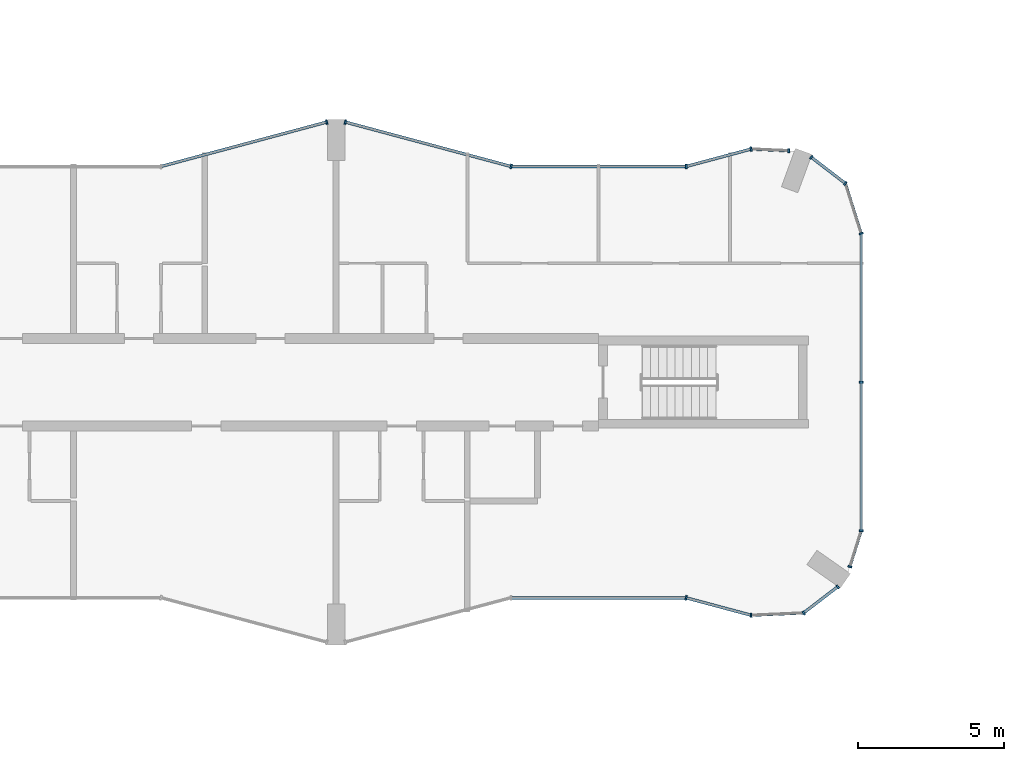
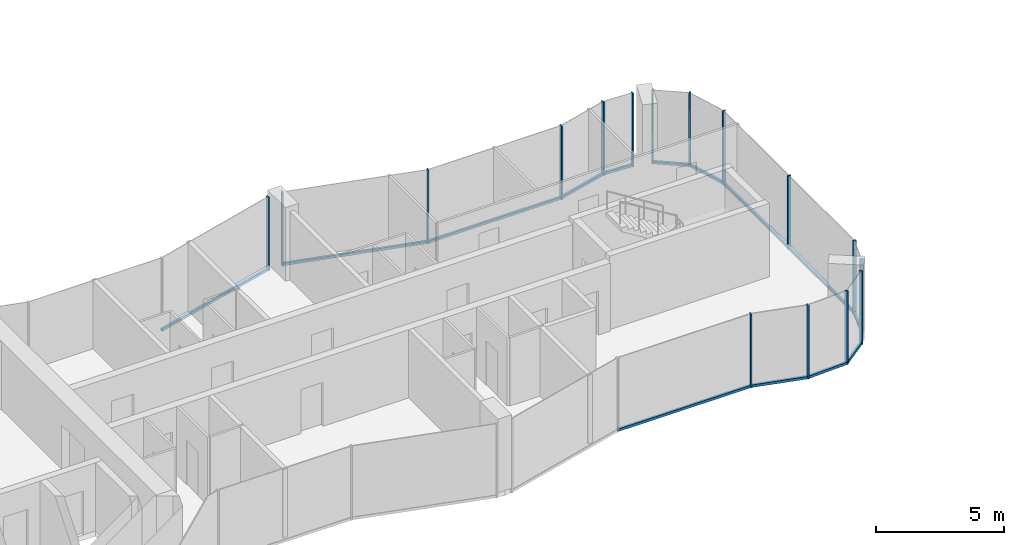
# One storey, part 5 of 22: 29 members, 13 elements without a shape of their own.
"""IFC4 building model written with IfcOpenShell, lengths in metres."""

import ifcopenshell
import ifcopenshell.guid

model = None  # the IFC model being written
_history = None  # IfcOwnerHistory: only IFC2X3 demands one
_inside = {}  # id of a spatial element -> (the spatial element, [elements in it])
_under = {}  # id of a project, library or spatial element -> (it, [spatial elements below it])
_declared = {}  # id of a project -> (the project, [libraries it declares])
_typed = {}  # id of a type object -> (the type object, [elements of that type])
_made_of = {}  # id of a material, layer set ... -> (it, [elements and type objects made of it])


def new_model(schema):
    """Start an empty IFC model of exactly this schema.

    Asked for "IFC4X3", IfcOpenShell would pick the latest addendum, in which some entities
    have other attributes; the version numbers below select the first issue.
    IFC2X3 requires an IfcOwnerHistory on every rooted entity: one is made here for all.
    """
    global model, _history
    if schema == "IFC4X3":
        model = ifcopenshell.file(schema_version=(4, 3, 0, 0))
    else:
        model = ifcopenshell.file(schema=schema)
    _inside.clear()
    _under.clear()
    _declared.clear()
    _typed.clear()
    _made_of.clear()
    _history = None
    if model.schema == "IFC2X3":
        org = make("IfcOrganization", Name="unknown")
        user = make(
            "IfcPersonAndOrganization",
            ThePerson=make("IfcPerson", FamilyName="unknown"),
            TheOrganization=org,
        )
        app = make(
            "IfcApplication",
            ApplicationDeveloper=org,
            Version="unknown",
            ApplicationFullName="unknown",
            ApplicationIdentifier="unknown",
        )
        _history = make(
            "IfcOwnerHistory",
            OwningUser=user,
            OwningApplication=app,
            ChangeAction="ADDED",
            CreationDate=0,
        )
    return model


def make(cls, **values):
    """One entity of the class cls with the attributes given. An attribute that is None is left unset."""
    return model.create_entity(
        cls, **{name: value for name, value in values.items() if value is not None}
    )


def rooted(cls, **values):
    """An entity with a GlobalId (a new one), such as an element, a storey or a relation."""
    return make(cls, GlobalId=ifcopenshell.guid.new(), OwnerHistory=_history, **values)


def si_unit(unit_type, name, prefix=None):
    """IfcSIUnit, for example si_unit("LENGTHUNIT", "METRE", prefix="MILLI")."""
    return make("IfcSIUnit", UnitType=unit_type, Prefix=prefix, Name=name)


def assignment(units):
    """IfcUnitAssignment: the units of a project."""
    return None if units is None else make("IfcUnitAssignment", Units=units)


def point(xyz):
    """IfcCartesianPoint."""
    return None if xyz is None else make("IfcCartesianPoint", Coordinates=xyz)


def direction(xyz):
    """IfcDirection."""
    return None if xyz is None else make("IfcDirection", DirectionRatios=xyz)


def frame(location, z_axis=None, x_axis=None):
    """IfcAxis2Placement3D, a coordinate frame: its origin and axes. An axis left out is left unset."""
    return make(
        "IfcAxis2Placement3D",
        Location=point(location),
        Axis=direction(z_axis),
        RefDirection=direction(x_axis),
    )


def frame_2d(location, x_axis=None):
    """IfcAxis2Placement2D, a coordinate frame in the plane: its origin and x axis."""
    return make(
        "IfcAxis2Placement2D", Location=point(location), RefDirection=direction(x_axis)
    )


def origin():
    """The frame at (0, 0, 0) with its axes left unset."""
    return frame((0.0, 0.0, 0.0))


def origin_2d():
    """The frame at (0, 0) in the plane with its x axis left unset."""
    return frame_2d((0.0, 0.0))


def place(relative_to, where):
    """IfcLocalPlacement: puts the frame where relative to a parent placement (None: the world)."""
    return make(
        "IfcLocalPlacement", PlacementRelTo=relative_to, RelativePlacement=where
    )


def context(
    kind, dimensions, precision=None, world=None, true_north=None, identifier=None
):
    """IfcGeometricRepresentationContext, for example the 3D "Model" context."""
    return make(
        "IfcGeometricRepresentationContext",
        ContextIdentifier=identifier,
        ContextType=kind,
        CoordinateSpaceDimension=dimensions,
        Precision=precision,
        WorldCoordinateSystem=world,
        TrueNorth=true_north,
    )


def subcontext(parent, identifier, kind, view, scale=None):
    """IfcGeometricRepresentationSubContext, for example "Body" below "Model"."""
    return make(
        "IfcGeometricRepresentationSubContext",
        ContextIdentifier=identifier,
        ContextType=kind,
        ParentContext=parent,
        TargetScale=scale,
        TargetView=view,
    )


def project(units=None, contexts=None):
    """IfcProject with its units and contexts."""
    return rooted(
        "IfcProject",
        Name="project",
        RepresentationContexts=contexts,
        UnitsInContext=assignment(units),
    )


def spatial(cls, under=None, at=None, **own):
    """A site, building, storey or space (cls), placed at a placement, below another one or the project."""
    s = rooted(cls, ObjectPlacement=at, **own)
    if under is not None:
        _under.setdefault(under.id(), (under, []))[1].append(s)
    return s


def profile(cls, at=None, kind="AREA", **sizes):
    """A parametric profile (cls). Its sizes go by their IFC names, for example OverallWidth=200.0."""
    return make(cls, ProfileType=kind, Position=at, **sizes)


def rectangle(**sizes):
    """IfcRectangleProfileDef."""
    return profile("IfcRectangleProfileDef", **sizes)


def extrude(swept, where, along, depth):
    """IfcExtrudedAreaSolid: the profile swept, set in the frame where, extruded along a direction by depth."""
    return make(
        "IfcExtrudedAreaSolid",
        SweptArea=swept,
        Position=where,
        ExtrudedDirection=direction(along),
        Depth=depth,
    )


def shape(context_of_items, identifier, shape_type, items):
    """IfcShapeRepresentation: the items that make up one representation, for example the "Body"."""
    return make(
        "IfcShapeRepresentation",
        ContextOfItems=context_of_items,
        RepresentationIdentifier=identifier,
        RepresentationType=shape_type,
        Items=items,
    )


def material(Name=None, Category=None):
    """IfcMaterial."""
    return make("IfcMaterial", Name=Name, Category=Category)


def layer(
    of_material, thickness, ventilated=None, Name=None, Category=None, Priority=None
):
    """IfcMaterialLayer: one layer of a wall or slab, of a material (None: an air gap)."""
    return make(
        "IfcMaterialLayer",
        Material=of_material,
        LayerThickness=thickness,
        IsVentilated=ventilated,
        Name=Name,
        Category=Category,
        Priority=Priority,
    )


def layer_set(layers, Name=None):
    """IfcMaterialLayerSet."""
    return make("IfcMaterialLayerSet", MaterialLayers=layers, LayerSetName=Name)


def material_profile(
    of_material, cross_section, Name=None, Category=None, Priority=None
):
    """IfcMaterialProfile: a cross section and its material."""
    return make(
        "IfcMaterialProfile",
        Name=Name,
        Material=of_material,
        Profile=cross_section,
        Priority=Priority,
        Category=Category,
    )


def profile_set(profiles, Name=None, composite=None):
    """IfcMaterialProfileSet."""
    return make(
        "IfcMaterialProfileSet",
        Name=Name,
        MaterialProfiles=profiles,
        CompositeProfile=composite,
    )


def made_of(thing, what):
    """Note that an element or type object is made of a material, layer set ...; save() writes the relation."""
    if what is not None:
        _made_of.setdefault(what.id(), (what, []))[1].append(thing)
    return thing


def type_object(cls, material=None, **own):
    """A type object (cls), such as IfcWallType, which elements share."""
    return made_of(rooted(cls, **own), material)


def element(
    cls,
    number,
    at=None,
    inside=None,
    cuts=None,
    type_object=None,
    material=None,
    context=None,
    identifier="Body",
    shape_type=None,
    held_by="IfcProductDefinitionShape",
    body=None,
    shapes=None,
    **own,
):
    """One element of the class cls, such as IfcWall. Its Tag is "e" and its number.

    at: its placement. inside: the storey or other place that contains it. cuts: it is an
    opening in that element (IfcRelVoidsElement). A single representation is given by context,
    identifier, shape_type and body (its items); several are given by shapes. held_by: the class
    of the entity that holds the representations. save() writes the other relations.
    """
    e = rooted(cls, Tag="e%d" % number, ObjectPlacement=at, **own)
    if body is not None:
        shapes = [shape(context, identifier, shape_type, body)]
    if shapes is not None:
        e.Representation = make(held_by, Representations=shapes)
    if inside is not None:
        _inside.setdefault(inside.id(), (inside, []))[1].append(e)
    if cuts is not None:
        rooted(
            "IfcRelVoidsElement", RelatingBuildingElement=cuts, RelatedOpeningElement=e
        )
    if type_object is not None:
        _typed.setdefault(type_object.id(), (type_object, []))[1].append(e)
    return made_of(e, material)


def aggregate(whole, parts):
    """IfcRelAggregates: a whole, such as a stair, and the parts it consists of."""
    return rooted("IfcRelAggregates", RelatingObject=whole, RelatedObjects=parts)


def save(model, path):
    """Write the relations noted so far, then the file.

    IfcRelAggregates (storeys below a building ...), IfcRelContainedInSpatialStructure (elements
    in a storey), IfcRelDefinesByType, IfcRelAssociatesMaterial and IfcRelDeclares: one each for
    every whole, place, type object, material and project.
    """
    for whole, parts in _under.values():
        aggregate(whole, parts)
    for where, things in _inside.values():
        rooted(
            "IfcRelContainedInSpatialStructure",
            RelatedElements=things,
            RelatingStructure=where,
        )
    for kind, things in _typed.values():
        rooted("IfcRelDefinesByType", RelatedObjects=things, RelatingType=kind)
    for what, things in _made_of.values():
        rooted("IfcRelAssociatesMaterial", RelatedObjects=things, RelatingMaterial=what)
    for by, libraries in _declared.values():
        rooted("IfcRelDeclares", RelatingContext=by, RelatedDefinitions=libraries)
    model.write(path)


model = new_model("IFC4")

# Units and contexts
model_context = context("Model", 3, precision=1e-05, world=origin(), true_north=direction((0.0, 1.0)))
body_context = subcontext(model_context, "Body", "Model", "MODEL_VIEW")
ifc_project = project(units=[si_unit("LENGTHUNIT", "METRE"), si_unit("AREAUNIT", "SQUARE_METRE"), si_unit("VOLUMEUNIT", "CUBIC_METRE"), si_unit("PLANEANGLEUNIT", "RADIAN"), si_unit("MASSUNIT", "GRAM", prefix="KILO")], contexts=[model_context])

# Site, building, storey
site_placement = place(None, origin())
site = spatial("IfcSite", under=ifc_project, at=site_placement, CompositionType="ELEMENT")
building_placement = place(site_placement, origin())
building = spatial("IfcBuilding", under=site, at=building_placement, Name="Plateau Cross Towers", CompositionType="ELEMENT")
storey_placement = place(building_placement, frame((0.0, 0.0, 54.800048828125)))
storey = spatial("IfcBuildingStorey", under=building, at=storey_placement, Name="L13", CompositionType="ELEMENT", Elevation=54.800048828125)

# Curtain wall, member
ifc_material_1 = material(Name="Dark low-iron glass", Category="glass")
ifc_layer_1 = layer(ifc_material_1, 0.239990234375)
ifc_layer_set_1 = layer_set([ifc_layer_1], Name="Dark low-iron glass")
curtain_wall_type_1 = type_object("IfcCurtainWallType", Name="Curtain wall flush unitised CW-B", PredefinedType="NOTDEFINED", material=ifc_layer_set_1)
curtain_wall_1_placement = place(storey_placement, origin())
curtain_wall_1 = element("IfcCurtainWall", 1, at=curtain_wall_1_placement, inside=storey, type_object=curtain_wall_type_1, Name="ENV/A/L13/A502_10", PredefinedType="NOTDEFINED")
ifc_material_2 = material(Name="Black anodised aluminium", Category="aluminium")
ifc_material_profile_1 = material_profile(ifc_material_2, rectangle(XDim=0.06005859375, YDim=0.139892578125, at=origin_2d()), Name="MULLION 60x140")
ifc_profile_set_1 = profile_set([ifc_material_profile_1], Name="Black anodised aluminium")
member_type_1 = type_object("IfcMemberType", Name="Mullion 60x140 flush unitised", PredefinedType="MULLION", material=ifc_profile_set_1)
member_1_placement = place(storey_placement, frame((50.223876953125, 1.01123046875, -0.25), z_axis=(0.0, 0.0, 1.0), x_axis=(0.999043701491, 0.043722791671, 0.0)))
member_1 = element("IfcMember", 2, at=member_1_placement, type_object=member_type_1, Name="CW-B mullion 1", PredefinedType="MULLION", context=body_context, shape_type="SweptSolid", body=[
    extrude(rectangle(XDim=0.06005859375, YDim=0.139892578125, at=origin_2d()), origin(), (0.0, 0.0, 1.0), 3.5),
])

# Curtain wall, members
curtain_wall_2_placement = place(storey_placement, origin())
curtain_wall_2 = element("IfcCurtainWall", 3, at=curtain_wall_2_placement, inside=storey, type_object=curtain_wall_type_1, Name="ENV/A/L13/A520_11", PredefinedType="NOTDEFINED")
member_2_placement = place(storey_placement, frame((52.0263671875, 1.090087890625, -0.25), z_axis=(0.0, 0.0, 1.0), x_axis=(0.793315514529, 0.608810721331, 0.0)))
member_2 = element("IfcMember", 4, at=member_2_placement, type_object=member_type_1, Name="CW-B mullion 1", PredefinedType="MULLION", context=body_context, shape_type="SweptSolid", body=[
    extrude(rectangle(XDim=0.06005859375, YDim=0.139892578125, at=origin_2d()), origin(), (0.0, 0.0, 1.0), 3.5),
])
member_3_placement = place(storey_placement, frame((53.193603515625, 1.986083984375, -0.25), z_axis=(0.0, 0.0, 1.0), x_axis=(0.793315514529, 0.608810721331, 0.0)))
member_3 = element("IfcMember", 5, at=member_3_placement, type_object=member_type_1, Name="CW-B mullion 2", PredefinedType="MULLION", context=body_context, shape_type="SweptSolid", body=[
    extrude(rectangle(XDim=0.06005859375, YDim=0.139892578125, at=origin_2d()), origin(), (0.0, 0.0, 1.0), 3.5),
])

# Curtain wall, member
curtain_wall_3_placement = place(storey_placement, origin())
curtain_wall_3 = element("IfcCurtainWall", 6, at=curtain_wall_3_placement, inside=storey, type_object=curtain_wall_type_1, Name="ENV/A/L13/A536_27", PredefinedType="NOTDEFINED")
member_4_placement = place(storey_placement, frame((53.611083984375, 2.67529296875, -0.25), z_axis=(0.0, 0.0, 1.0), x_axis=(0.300686174994, 0.95372313811, 0.0)))
member_4 = element("IfcMember", 7, at=member_4_placement, type_object=member_type_1, Name="CW-B mullion 1", PredefinedType="MULLION", context=body_context, shape_type="SweptSolid", body=[
    extrude(rectangle(XDim=0.06005859375, YDim=0.139892578125, at=origin_2d()), origin(), (0.0, 0.0, 1.0), 3.5),
])

# Curtain wall, members
curtain_wall_4_placement = place(storey_placement, origin())
curtain_wall_4 = element("IfcCurtainWall", 8, at=curtain_wall_4_placement, inside=storey, type_object=curtain_wall_type_1, Name="ENV/A/L13/A540_39", PredefinedType="NOTDEFINED")
member_5_placement = place(storey_placement, frame((54.0, 3.9091796875, -0.25), z_axis=(0.0, 0.0, 1.0), x_axis=(0.0, 1.0, 0.0)))
member_5 = element("IfcMember", 9, at=member_5_placement, type_object=member_type_1, Name="CW-B mullion 1", PredefinedType="MULLION", context=body_context, shape_type="SweptSolid", body=[
    extrude(rectangle(XDim=0.06005859375, YDim=0.139892578125, at=origin_2d()), origin(), (0.0, 0.0, 1.0), 3.5),
])
member_6_placement = place(storey_placement, frame((54.0, 9.0, -0.25), z_axis=(0.0, 0.0, 1.0), x_axis=(0.0, 1.0, 0.0)))
member_6 = element("IfcMember", 10, at=member_6_placement, type_object=member_type_1, Name="CW-B mullion 2", PredefinedType="MULLION", context=body_context, shape_type="SweptSolid", body=[
    extrude(rectangle(XDim=0.06005859375, YDim=0.139892578125, at=origin_2d()), origin(), (0.0, 0.0, 1.0), 3.5),
])

# Curtain wall, member
curtain_wall_5_placement = place(storey_placement, origin())
curtain_wall_5 = element("IfcCurtainWall", 11, at=curtain_wall_5_placement, inside=storey, type_object=curtain_wall_type_1, Name="ENV/A/L13/A540_141", PredefinedType="NOTDEFINED")
member_7_placement = place(storey_placement, frame((54.0, 14.0908203125, -0.25), z_axis=(0.0, 0.0, 1.0), x_axis=(-0.300686174994, 0.95372313811, 0.0)))
member_7 = element("IfcMember", 12, at=member_7_placement, type_object=member_type_1, Name="CW-B mullion 1", PredefinedType="MULLION", context=body_context, shape_type="SweptSolid", body=[
    extrude(rectangle(XDim=0.06005859375, YDim=0.139892578125, at=origin_2d()), origin(), (0.0, 0.0, 1.0), 3.5),
])

# Curtain wall, members
curtain_wall_6_placement = place(storey_placement, origin())
curtain_wall_6 = element("IfcCurtainWall", 13, at=curtain_wall_6_placement, inside=storey, type_object=curtain_wall_type_1, Name="ENV/A/L13/A535_158", PredefinedType="NOTDEFINED")
member_8_placement = place(storey_placement, frame((53.45751953125, 15.8115234375, -0.25), z_axis=(0.0, 0.0, 1.0), x_axis=(-0.793315514529, 0.608810721331, 0.0)))
member_8 = element("IfcMember", 14, at=member_8_placement, type_object=member_type_1, Name="CW-B mullion 1", PredefinedType="MULLION", context=body_context, shape_type="SweptSolid", body=[
    extrude(rectangle(XDim=0.06005859375, YDim=0.139892578125, at=origin_2d()), origin(), (0.0, 0.0, 1.0), 3.5),
])
member_9_placement = place(storey_placement, frame((52.290283203125, 16.707275390625, -0.25), z_axis=(0.0, 0.0, 1.0), x_axis=(-0.793315514529, 0.608810721331, 0.0)))
member_9 = element("IfcMember", 15, at=member_9_placement, type_object=member_type_1, Name="CW-B mullion 2", PredefinedType="MULLION", context=body_context, shape_type="SweptSolid", body=[
    extrude(rectangle(XDim=0.06005859375, YDim=0.139892578125, at=origin_2d()), origin(), (0.0, 0.0, 1.0), 3.5),
])

# Curtain wall, member
curtain_wall_7_placement = place(storey_placement, origin())
curtain_wall_7 = element("IfcCurtainWall", 16, at=curtain_wall_7_placement, inside=storey, type_object=curtain_wall_type_1, Name="ENV/A/L13/A515_169", PredefinedType="NOTDEFINED")
member_10_placement = place(storey_placement, frame((51.516357421875, 16.93212890625, -0.25), z_axis=(0.0, 0.0, 1.0), x_axis=(-0.999043701491, 0.043722791671, 0.0)))
member_10 = element("IfcMember", 17, at=member_10_placement, type_object=member_type_1, Name="CW-B mullion 1", PredefinedType="MULLION", context=body_context, shape_type="SweptSolid", body=[
    extrude(rectangle(XDim=0.06005859375, YDim=0.139892578125, at=origin_2d()), origin(), (0.0, 0.0, 1.0), 3.5),
])

ifc_layer_2 = layer(ifc_material_1, 0.260009765625)
ifc_layer_set_2 = layer_set([ifc_layer_2], Name="Dark low-iron glass")
curtain_wall_type_2 = type_object("IfcCurtainWallType", Name="Curtain wall fluted unitised CW-A", PredefinedType="NOTDEFINED", material=ifc_layer_set_2)
curtain_wall_8_placement = place(storey_placement, origin())
curtain_wall_8 = element("IfcCurtainWall", 18, at=curtain_wall_8_placement, inside=storey, type_object=curtain_wall_type_2, Name="ENV/A/L13/A480_16", PredefinedType="NOTDEFINED")
ifc_material_profile_2 = material_profile(ifc_material_2, rectangle(XDim=0.06005859375, YDim=0.159912109375, at=origin_2d()), Name="MULLION 60x160")
ifc_profile_set_2 = profile_set([ifc_material_profile_2], Name="Black anodised aluminium")
member_type_2 = type_object("IfcMemberType", Name="Mullion 60x160 fluted unitised", PredefinedType="MULLION", material=ifc_profile_set_2)
member_11_placement = place(storey_placement, frame((48.0, 1.60693359375, -0.25), z_axis=(0.0, 0.0, 1.0), x_axis=(0.965957962328, -0.258699081978, 0.0)))
member_11 = element("IfcMember", 19, at=member_11_placement, type_object=member_type_2, Name="CW-A mullion 1", PredefinedType="MULLION", context=body_context, shape_type="SweptSolid", body=[
    extrude(rectangle(XDim=0.06005859375, YDim=0.159912109375, at=origin_2d()), origin(), (0.0, 0.0, 1.0), 3.5),
])

curtain_wall_9_placement = place(storey_placement, origin())
curtain_wall_9 = element("IfcCurtainWall", 20, at=curtain_wall_9_placement, inside=storey, type_object=curtain_wall_type_2, Name="ENV/A/L13/A502_170", PredefinedType="NOTDEFINED")
member_12_placement = place(storey_placement, frame((50.223876953125, 16.98876953125, -0.25), z_axis=(0.0, 0.0, 1.0), x_axis=(-0.965957962328, -0.258699081978, 0.0)))
member_12 = element("IfcMember", 21, at=member_12_placement, type_object=member_type_2, Name="CW-A mullion 1", PredefinedType="MULLION", context=body_context, shape_type="SweptSolid", body=[
    extrude(rectangle(XDim=0.06005859375, YDim=0.159912109375, at=origin_2d()), origin(), (0.0, 0.0, 1.0), 3.5),
])

curtain_wall_10_placement = place(storey_placement, origin())
curtain_wall_10 = element("IfcCurtainWall", 22, at=curtain_wall_10_placement, inside=storey, type_object=curtain_wall_type_2, Name="ENV/A/L13/A480_164", PredefinedType="NOTDEFINED")
member_13_placement = place(storey_placement, frame((48.0, 16.39306640625, -0.25), z_axis=(0.0, 0.0, 1.0), x_axis=(-1.0, 0.0, 0.0)))
member_13 = element("IfcMember", 23, at=member_13_placement, type_object=member_type_2, Name="CW-A mullion 1", PredefinedType="MULLION", context=body_context, shape_type="SweptSolid", body=[
    extrude(rectangle(XDim=0.06005859375, YDim=0.159912109375, at=origin_2d()), origin(), (0.0, 0.0, 1.0), 3.5),
])

# Curtain wall, members
curtain_wall_11_placement = place(storey_placement, origin())
curtain_wall_11 = element("IfcCurtainWall", 24, at=curtain_wall_11_placement, inside=storey, type_object=curtain_wall_type_2, Name="ENV/A/L13/A420_164", PredefinedType="NOTDEFINED")
member_14_placement = place(storey_placement, frame((42.0, 16.39306640625, -0.25), z_axis=(0.0, 0.0, 1.0), x_axis=(-0.965957983404, 0.258699003279, 0.0)))
member_14 = element("IfcMember", 25, at=member_14_placement, type_object=member_type_2, Name="CW-A mullion 1", PredefinedType="MULLION", context=body_context, shape_type="SweptSolid", body=[
    extrude(rectangle(XDim=0.06005859375, YDim=0.159912109375, at=origin_2d()), origin(), (0.0, 0.0, 1.0), 3.5),
])
member_15_placement = place(storey_placement, frame((36.31787109375, 17.914794921875, -0.25), z_axis=(0.0, 0.0, 1.0), x_axis=(-0.965957983404, 0.258699003279, 0.0)))
member_15 = element("IfcMember", 26, at=member_15_placement, type_object=member_type_2, Name="CW-A mullion 2", PredefinedType="MULLION", context=body_context, shape_type="SweptSolid", body=[
    extrude(rectangle(XDim=0.06005859375, YDim=0.159912109375, at=origin_2d()), origin(), (0.0, 0.0, 1.0), 3.5),
])

# Curtain wall, member
curtain_wall_12_placement = place(storey_placement, origin())
curtain_wall_12 = element("IfcCurtainWall", 27, at=curtain_wall_12_placement, inside=storey, type_object=curtain_wall_type_2, Name="ENV/A/L13/A357_179", PredefinedType="NOTDEFINED")
member_16_placement = place(storey_placement, frame((35.68212890625, 17.914794921875, -0.25), z_axis=(0.0, 0.0, 1.0), x_axis=(-0.965957983404, -0.258699003279, 0.0)))
member_16 = element("IfcMember", 28, at=member_16_placement, type_object=member_type_2, Name="CW-A mullion 1", PredefinedType="MULLION", context=body_context, shape_type="SweptSolid", body=[
    extrude(rectangle(XDim=0.06005859375, YDim=0.159912109375, at=origin_2d()), origin(), (0.0, 0.0, 1.0), 3.5),
])

# Member
ifc_material_profile_3 = material_profile(ifc_material_2, rectangle(XDim=0.10009765625, YDim=0.1201171875, at=origin_2d()), Name="TRANSOM 100x120")
ifc_profile_set_3 = profile_set([ifc_material_profile_3], Name="Black anodised aluminium")
member_type_3 = type_object("IfcMemberType", Name="Transom 100x120 flush unitised", PredefinedType="USERDEFINED", material=ifc_profile_set_3)
member_17_placement = place(storey_placement, frame((50.223876953125, 1.01123046875, -0.18994140625), z_axis=(0.999044377355, 0.043707345779, 0.0), x_axis=(-0.043707345779, 0.999044377355, 0.0)))
member_17 = element("IfcMember", 29, at=member_17_placement, type_object=member_type_3, Name="CW-B transom", ObjectType="TRANSOM", PredefinedType="USERDEFINED", context=body_context, shape_type="SweptSolid", body=[
    extrude(rectangle(XDim=0.10009765625, YDim=0.1201171875, at=origin_2d()), origin(), (0.0, 0.0, 1.0), 1.80419921875),
])

aggregate(curtain_wall_1, [member_1, member_17])

member_18_placement = place(storey_placement, frame((52.0263671875, 1.090087890625, -0.18994140625), z_axis=(0.793240368515, 0.608908628415, 0.0), x_axis=(-0.608908628415, 0.793240368515, 0.0)))
member_18 = element("IfcMember", 30, at=member_18_placement, type_object=member_type_3, Name="CW-B transom", ObjectType="TRANSOM", PredefinedType="USERDEFINED", context=body_context, shape_type="SweptSolid", body=[
    extrude(rectangle(XDim=0.10009765625, YDim=0.1201171875, at=origin_2d()), origin(), (0.0, 0.0, 1.0), 1.471435546875),
])

aggregate(curtain_wall_2, [member_2, member_3, member_18])

member_19_placement = place(storey_placement, frame((53.611083984375, 2.67529296875, -0.18994140625), z_axis=(0.300616528216, 0.953745093284, 0.0), x_axis=(-0.953745093284, 0.300616528216, 0.0)))
member_19 = element("IfcMember", 31, at=member_19_placement, type_object=member_type_3, Name="CW-B transom", ObjectType="TRANSOM", PredefinedType="USERDEFINED", context=body_context, shape_type="SweptSolid", body=[
    extrude(rectangle(XDim=0.10009765625, YDim=0.1201171875, at=origin_2d()), origin(), (0.0, 0.0, 1.0), 1.293701171875),
])

aggregate(curtain_wall_3, [member_4, member_19])

member_20_placement = place(storey_placement, frame((54.0, 3.9091796875, -0.18994140625), z_axis=(0.0, 1.0, 0.0), x_axis=(-1.0, 0.0, 0.0)))
member_20 = element("IfcMember", 32, at=member_20_placement, type_object=member_type_3, Name="CW-B transom", ObjectType="TRANSOM", PredefinedType="USERDEFINED", context=body_context, shape_type="SweptSolid", body=[
    extrude(rectangle(XDim=0.10009765625, YDim=0.1201171875, at=origin_2d()), origin(), (0.0, 0.0, 1.0), 10.181640625),
])

aggregate(curtain_wall_4, [member_5, member_6, member_20])

member_21_placement = place(storey_placement, frame((54.0, 14.0908203125, -0.18994140625), z_axis=(-0.30067799945, 0.953725715626, 0.0), x_axis=(-0.953725715626, -0.30067799945, 0.0)))
member_21 = element("IfcMember", 33, at=member_21_placement, type_object=member_type_3, Name="CW-B transom", ObjectType="TRANSOM", PredefinedType="USERDEFINED", context=body_context, shape_type="SweptSolid", body=[
    extrude(rectangle(XDim=0.10009765625, YDim=0.1201171875, at=origin_2d()), origin(), (0.0, 0.0, 1.0), 1.80419921875),
])

aggregate(curtain_wall_5, [member_7, member_21])

member_22_placement = place(storey_placement, frame((53.45751953125, 15.8115234375, -0.18994140625), z_axis=(-0.793320508571, 0.608804213751, 0.0), x_axis=(-0.608804213751, -0.793320508571, 0.0)))
member_22 = element("IfcMember", 34, at=member_22_placement, type_object=member_type_3, Name="CW-B transom", ObjectType="TRANSOM", PredefinedType="USERDEFINED", context=body_context, shape_type="SweptSolid", body=[
    extrude(rectangle(XDim=0.10009765625, YDim=0.1201171875, at=origin_2d()), origin(), (0.0, 0.0, 1.0), 1.471435546875),
])

aggregate(curtain_wall_6, [member_8, member_9, member_22])

member_23_placement = place(storey_placement, frame((51.516357421875, 16.93212890625, -0.18994140625), z_axis=(-0.999041144614, 0.043781175963, 0.0), x_axis=(-0.043781175963, -0.999041144614, 0.0)))
member_23 = element("IfcMember", 35, at=member_23_placement, type_object=member_type_3, Name="CW-B transom", ObjectType="TRANSOM", PredefinedType="USERDEFINED", context=body_context, shape_type="SweptSolid", body=[
    extrude(rectangle(XDim=0.10009765625, YDim=0.1201171875, at=origin_2d()), origin(), (0.0, 0.0, 1.0), 1.293701171875),
])

aggregate(curtain_wall_7, [member_10, member_23])

# Curtain wall, member
curtain_wall_13_placement = place(storey_placement, origin())
curtain_wall_13 = element("IfcCurtainWall", 36, at=curtain_wall_13_placement, inside=storey, type_object=curtain_wall_type_2, Name="ENV/A/L13/A420_16", PredefinedType="NOTDEFINED")
ifc_material_profile_4 = material_profile(ifc_material_2, rectangle(XDim=0.10009765625, YDim=0.1201171875, at=origin_2d()), Name="TRANSOM 100x120")
ifc_profile_set_4 = profile_set([ifc_material_profile_4], Name="Black anodised aluminium")
member_type_4 = type_object("IfcMemberType", Name="Transom 100x120 fluted unitised", PredefinedType="USERDEFINED", material=ifc_profile_set_4)
member_24_placement = place(storey_placement, frame((42.0, 1.60693359375, -0.18994140625), z_axis=(1.0, 0.0, 0.0), x_axis=(0.0, 1.0, 0.0)))
member_24 = element("IfcMember", 37, at=member_24_placement, type_object=member_type_4, Name="CW-A transom", ObjectType="TRANSOM", PredefinedType="USERDEFINED", context=body_context, shape_type="SweptSolid", body=[
    extrude(rectangle(XDim=0.10009765625, YDim=0.1201171875, at=origin_2d()), origin(), (0.0, 0.0, 1.0), 6.0),
])
aggregate(curtain_wall_13, [member_24])

# Member
member_25_placement = place(storey_placement, frame((48.0, 1.60693359375, -0.18994140625), z_axis=(0.965945685136, -0.258744919501, 0.0), x_axis=(0.258744919501, 0.965945685136, 0.0)))
member_25 = element("IfcMember", 38, at=member_25_placement, type_object=member_type_4, Name="CW-A transom", ObjectType="TRANSOM", PredefinedType="USERDEFINED", context=body_context, shape_type="SweptSolid", body=[
    extrude(rectangle(XDim=0.10009765625, YDim=0.1201171875, at=origin_2d()), origin(), (0.0, 0.0, 1.0), 2.30224609375),
])

aggregate(curtain_wall_8, [member_11, member_25])

member_26_placement = place(storey_placement, frame((50.223876953125, 16.98876953125, -0.18994140625), z_axis=(-0.965945685136, -0.258744919501, 0.0), x_axis=(0.258744919501, -0.965945685136, 0.0)))
member_26 = element("IfcMember", 39, at=member_26_placement, type_object=member_type_4, Name="CW-A transom", ObjectType="TRANSOM", PredefinedType="USERDEFINED", context=body_context, shape_type="SweptSolid", body=[
    extrude(rectangle(XDim=0.10009765625, YDim=0.1201171875, at=origin_2d()), origin(), (0.0, 0.0, 1.0), 2.30224609375),
])

aggregate(curtain_wall_9, [member_12, member_26])

member_27_placement = place(storey_placement, frame((48.0, 16.39306640625, -0.18994140625), z_axis=(-1.0, 0.0, 0.0), x_axis=(0.0, -1.0, 0.0)))
member_27 = element("IfcMember", 40, at=member_27_placement, type_object=member_type_4, Name="CW-A transom", ObjectType="TRANSOM", PredefinedType="USERDEFINED", context=body_context, shape_type="SweptSolid", body=[
    extrude(rectangle(XDim=0.10009765625, YDim=0.1201171875, at=origin_2d()), origin(), (0.0, 0.0, 1.0), 6.0),
])

aggregate(curtain_wall_10, [member_13, member_27])

member_28_placement = place(storey_placement, frame((42.0, 16.39306640625, -0.18994140625), z_axis=(-0.965959534794, 0.258693210465, 0.0), x_axis=(-0.258693210465, -0.965959534794, 0.0)))
member_28 = element("IfcMember", 41, at=member_28_placement, type_object=member_type_4, Name="CW-A transom", ObjectType="TRANSOM", PredefinedType="USERDEFINED", context=body_context, shape_type="SweptSolid", body=[
    extrude(rectangle(XDim=0.10009765625, YDim=0.1201171875, at=origin_2d()), origin(), (0.0, 0.0, 1.0), 5.88232421875),
])

aggregate(curtain_wall_11, [member_14, member_15, member_28])

member_29_placement = place(storey_placement, frame((35.68212890625, 17.914794921875, -0.18994140625), z_axis=(-0.965959534794, -0.258693210465, 0.0), x_axis=(0.258693210465, -0.965959534794, 0.0)))
member_29 = element("IfcMember", 42, at=member_29_placement, type_object=member_type_4, Name="CW-A transom", ObjectType="TRANSOM", PredefinedType="USERDEFINED", context=body_context, shape_type="SweptSolid", body=[
    extrude(rectangle(XDim=0.10009765625, YDim=0.1201171875, at=origin_2d()), origin(), (0.0, 0.0, 1.0), 5.88232421875),
])

aggregate(curtain_wall_12, [member_16, member_29])

save(model, "model.ifc")
